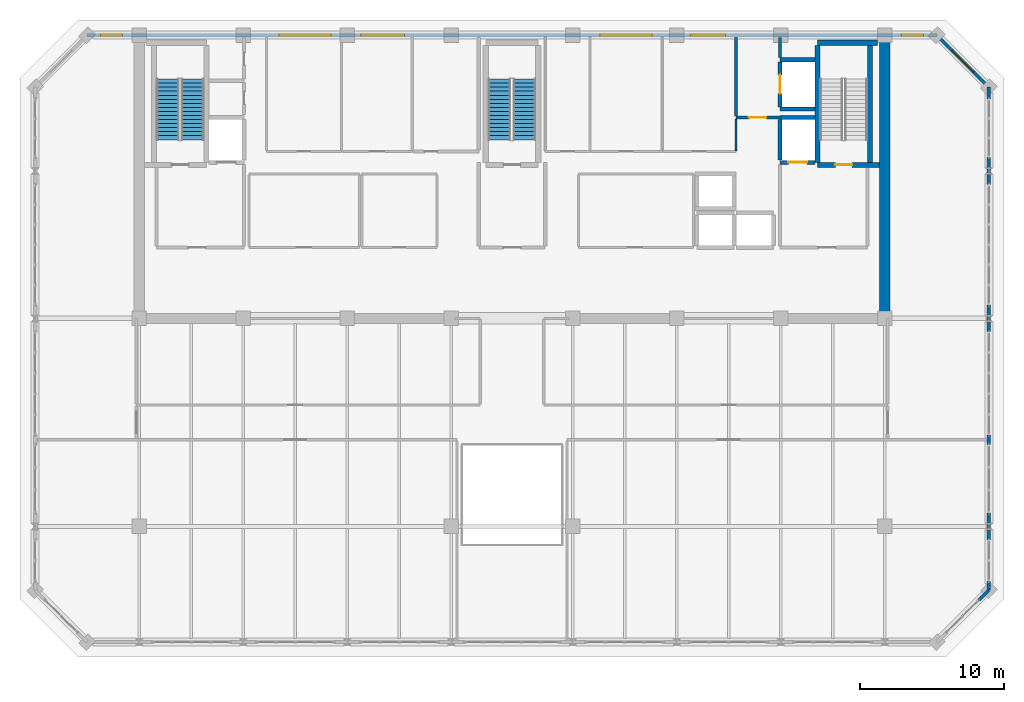
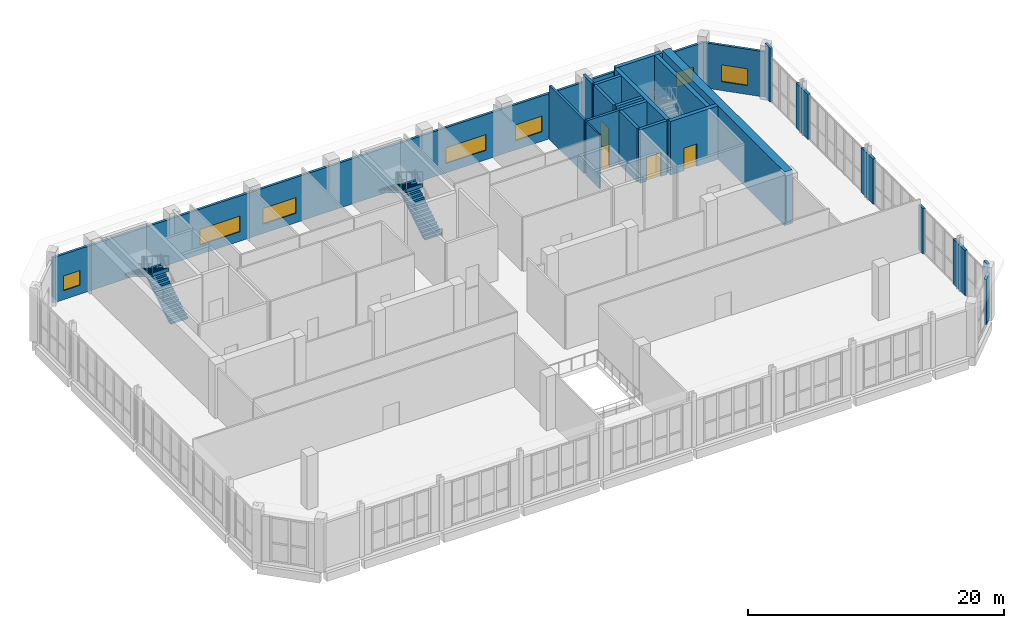
# One storey, part 22 of 26: 24 walls, 7 windows, 4 doors, 4 stair flights, 11 openings, 2 elements without a shape of their own.
"""IFC4 building model written with IfcOpenShell, lengths in metres."""

import ifcopenshell
import ifcopenshell.guid

model = None  # the IFC model being written
_history = None  # IfcOwnerHistory: only IFC2X3 demands one
_inside = {}  # id of a spatial element -> (the spatial element, [elements in it])
_under = {}  # id of a project, library or spatial element -> (it, [spatial elements below it])
_declared = {}  # id of a project -> (the project, [libraries it declares])
_typed = {}  # id of a type object -> (the type object, [elements of that type])
_made_of = {}  # id of a material, layer set ... -> (it, [elements and type objects made of it])


def new_model(schema):
    """Start an empty IFC model of exactly this schema.

    Asked for "IFC4X3", IfcOpenShell would pick the latest addendum, in which some entities
    have other attributes; the version numbers below select the first issue.
    IFC2X3 requires an IfcOwnerHistory on every rooted entity: one is made here for all.
    """
    global model, _history
    if schema == "IFC4X3":
        model = ifcopenshell.file(schema_version=(4, 3, 0, 0))
    else:
        model = ifcopenshell.file(schema=schema)
    _inside.clear()
    _under.clear()
    _declared.clear()
    _typed.clear()
    _made_of.clear()
    _history = None
    if model.schema == "IFC2X3":
        org = make("IfcOrganization", Name="unknown")
        user = make(
            "IfcPersonAndOrganization",
            ThePerson=make("IfcPerson", FamilyName="unknown"),
            TheOrganization=org,
        )
        app = make(
            "IfcApplication",
            ApplicationDeveloper=org,
            Version="unknown",
            ApplicationFullName="unknown",
            ApplicationIdentifier="unknown",
        )
        _history = make(
            "IfcOwnerHistory",
            OwningUser=user,
            OwningApplication=app,
            ChangeAction="ADDED",
            CreationDate=0,
        )
    return model


def make(cls, **values):
    """One entity of the class cls with the attributes given. An attribute that is None is left unset."""
    return model.create_entity(
        cls, **{name: value for name, value in values.items() if value is not None}
    )


def rooted(cls, **values):
    """An entity with a GlobalId (a new one), such as an element, a storey or a relation."""
    return make(cls, GlobalId=ifcopenshell.guid.new(), OwnerHistory=_history, **values)


def si_unit(unit_type, name, prefix=None):
    """IfcSIUnit, for example si_unit("LENGTHUNIT", "METRE", prefix="MILLI")."""
    return make("IfcSIUnit", UnitType=unit_type, Prefix=prefix, Name=name)


def assignment(units):
    """IfcUnitAssignment: the units of a project."""
    return None if units is None else make("IfcUnitAssignment", Units=units)


def point(xyz):
    """IfcCartesianPoint."""
    return None if xyz is None else make("IfcCartesianPoint", Coordinates=xyz)


def direction(xyz):
    """IfcDirection."""
    return None if xyz is None else make("IfcDirection", DirectionRatios=xyz)


def frame(location, z_axis=None, x_axis=None):
    """IfcAxis2Placement3D, a coordinate frame: its origin and axes. An axis left out is left unset."""
    return make(
        "IfcAxis2Placement3D",
        Location=point(location),
        Axis=direction(z_axis),
        RefDirection=direction(x_axis),
    )


def frame_2d(location, x_axis=None):
    """IfcAxis2Placement2D, a coordinate frame in the plane: its origin and x axis."""
    return make(
        "IfcAxis2Placement2D", Location=point(location), RefDirection=direction(x_axis)
    )


def origin():
    """The frame at (0, 0, 0) with its axes left unset."""
    return frame((0.0, 0.0, 0.0))


def place(relative_to, where):
    """IfcLocalPlacement: puts the frame where relative to a parent placement (None: the world)."""
    return make(
        "IfcLocalPlacement", PlacementRelTo=relative_to, RelativePlacement=where
    )


def context(
    kind, dimensions, precision=None, world=None, true_north=None, identifier=None
):
    """IfcGeometricRepresentationContext, for example the 3D "Model" context."""
    return make(
        "IfcGeometricRepresentationContext",
        ContextIdentifier=identifier,
        ContextType=kind,
        CoordinateSpaceDimension=dimensions,
        Precision=precision,
        WorldCoordinateSystem=world,
        TrueNorth=true_north,
    )


def subcontext(parent, identifier, kind, view, scale=None):
    """IfcGeometricRepresentationSubContext, for example "Body" below "Model"."""
    return make(
        "IfcGeometricRepresentationSubContext",
        ContextIdentifier=identifier,
        ContextType=kind,
        ParentContext=parent,
        TargetScale=scale,
        TargetView=view,
    )


def project(units=None, contexts=None):
    """IfcProject with its units and contexts."""
    return rooted(
        "IfcProject",
        Name="project",
        RepresentationContexts=contexts,
        UnitsInContext=assignment(units),
    )


def spatial(cls, under=None, at=None, **own):
    """A site, building, storey or space (cls), placed at a placement, below another one or the project."""
    s = rooted(cls, ObjectPlacement=at, **own)
    if under is not None:
        _under.setdefault(under.id(), (under, []))[1].append(s)
    return s


def polyline(points):
    """IfcPolyline through the points."""
    return make("IfcPolyline", Points=[point(p) for p in points])


def profile(cls, at=None, kind="AREA", **sizes):
    """A parametric profile (cls). Its sizes go by their IFC names, for example OverallWidth=200.0."""
    return make(cls, ProfileType=kind, Position=at, **sizes)


def rectangle(**sizes):
    """IfcRectangleProfileDef."""
    return profile("IfcRectangleProfileDef", **sizes)


def outline(outer, holes=None, kind="AREA"):
    """IfcArbitraryClosedProfileDef: a profile drawn as a closed curve; with holes, ...WithVoids."""
    if holes is None:
        return make("IfcArbitraryClosedProfileDef", ProfileType=kind, OuterCurve=outer)
    return make(
        "IfcArbitraryProfileDefWithVoids",
        ProfileType=kind,
        OuterCurve=outer,
        InnerCurves=holes,
    )


def extrude(swept, where, along, depth):
    """IfcExtrudedAreaSolid: the profile swept, set in the frame where, extruded along a direction by depth."""
    return make(
        "IfcExtrudedAreaSolid",
        SweptArea=swept,
        Position=where,
        ExtrudedDirection=direction(along),
        Depth=depth,
    )


def shape(context_of_items, identifier, shape_type, items):
    """IfcShapeRepresentation: the items that make up one representation, for example the "Body"."""
    return make(
        "IfcShapeRepresentation",
        ContextOfItems=context_of_items,
        RepresentationIdentifier=identifier,
        RepresentationType=shape_type,
        Items=items,
    )


def material(Name=None, Category=None):
    """IfcMaterial."""
    return make("IfcMaterial", Name=Name, Category=Category)


def layer(
    of_material, thickness, ventilated=None, Name=None, Category=None, Priority=None
):
    """IfcMaterialLayer: one layer of a wall or slab, of a material (None: an air gap)."""
    return make(
        "IfcMaterialLayer",
        Material=of_material,
        LayerThickness=thickness,
        IsVentilated=ventilated,
        Name=Name,
        Category=Category,
        Priority=Priority,
    )


def layer_set(layers, Name=None):
    """IfcMaterialLayerSet."""
    return make("IfcMaterialLayerSet", MaterialLayers=layers, LayerSetName=Name)


def made_of(thing, what):
    """Note that an element or type object is made of a material, layer set ...; save() writes the relation."""
    if what is not None:
        _made_of.setdefault(what.id(), (what, []))[1].append(thing)
    return thing


def type_object(cls, material=None, **own):
    """A type object (cls), such as IfcWallType, which elements share."""
    return made_of(rooted(cls, **own), material)


def element(
    cls,
    number,
    at=None,
    inside=None,
    cuts=None,
    type_object=None,
    material=None,
    context=None,
    identifier="Body",
    shape_type=None,
    held_by="IfcProductDefinitionShape",
    body=None,
    shapes=None,
    **own,
):
    """One element of the class cls, such as IfcWall. Its Tag is "e" and its number.

    at: its placement. inside: the storey or other place that contains it. cuts: it is an
    opening in that element (IfcRelVoidsElement). A single representation is given by context,
    identifier, shape_type and body (its items); several are given by shapes. held_by: the class
    of the entity that holds the representations. save() writes the other relations.
    """
    e = rooted(cls, Tag="e%d" % number, ObjectPlacement=at, **own)
    if body is not None:
        shapes = [shape(context, identifier, shape_type, body)]
    if shapes is not None:
        e.Representation = make(held_by, Representations=shapes)
    if inside is not None:
        _inside.setdefault(inside.id(), (inside, []))[1].append(e)
    if cuts is not None:
        rooted(
            "IfcRelVoidsElement", RelatingBuildingElement=cuts, RelatedOpeningElement=e
        )
    if type_object is not None:
        _typed.setdefault(type_object.id(), (type_object, []))[1].append(e)
    return made_of(e, material)


def fill(opening, filler):
    """IfcRelFillsElement: the door or window that sits in an opening."""
    return rooted(
        "IfcRelFillsElement",
        RelatingOpeningElement=opening,
        RelatedBuildingElement=filler,
    )


def aggregate(whole, parts):
    """IfcRelAggregates: a whole, such as a stair, and the parts it consists of."""
    return rooted("IfcRelAggregates", RelatingObject=whole, RelatedObjects=parts)


def save(model, path):
    """Write the relations noted so far, then the file.

    IfcRelAggregates (storeys below a building ...), IfcRelContainedInSpatialStructure (elements
    in a storey), IfcRelDefinesByType, IfcRelAssociatesMaterial and IfcRelDeclares: one each for
    every whole, place, type object, material and project.
    """
    for whole, parts in _under.values():
        aggregate(whole, parts)
    for where, things in _inside.values():
        rooted(
            "IfcRelContainedInSpatialStructure",
            RelatedElements=things,
            RelatingStructure=where,
        )
    for kind, things in _typed.values():
        rooted("IfcRelDefinesByType", RelatedObjects=things, RelatingType=kind)
    for what, things in _made_of.values():
        rooted("IfcRelAssociatesMaterial", RelatedObjects=things, RelatingMaterial=what)
    for by, libraries in _declared.values():
        rooted("IfcRelDeclares", RelatingContext=by, RelatedDefinitions=libraries)
    model.write(path)


model = new_model("IFC4")

# Units and contexts
model_context = context("Model", 3, precision=1e-05, world=origin(), true_north=direction((0.0, 1.0)))
body_context = subcontext(model_context, "Body", "Model", "MODEL_VIEW")
ifc_project = project(units=[si_unit("LENGTHUNIT", "METRE"), si_unit("AREAUNIT", "SQUARE_METRE"), si_unit("VOLUMEUNIT", "CUBIC_METRE"), si_unit("PLANEANGLEUNIT", "RADIAN"), si_unit("MASSUNIT", "GRAM", prefix="KILO")], contexts=[model_context])

# Site, building, storey
site_placement = place(None, origin())
site = spatial("IfcSite", under=ifc_project, at=site_placement, CompositionType="ELEMENT")
building_placement = place(site_placement, origin())
building = spatial("IfcBuilding", under=site, at=building_placement, Name="Kaelvorn Grand Hotel", CompositionType="ELEMENT")
storey_placement = place(building_placement, frame((0.0, 0.0, 300.199951171875)))
storey = spatial("IfcBuildingStorey", under=building, at=storey_placement, Name="L73", CompositionType="ELEMENT", Elevation=300.199951171875)

# Walls
ifc_material_1 = material(Name="Concrete C50/60", Category="concrete")
ifc_layer_1 = layer(ifc_material_1, 0.699951171875)
ifc_layer_set_1 = layer_set([ifc_layer_1], Name="Concrete C50/60")
wall_type_1 = type_object("IfcWallType", Name="WL-CORE-700-C50", PredefinedType="SHEAR", material=ifc_layer_set_1)
wall_1_placement = place(storey_placement, frame((67.800048828125, 29.39990234375, 0.0), z_axis=(0.0, 0.0, 1.0), x_axis=(0.0, 1.0, 0.0)))
element("IfcWall", 1, at=wall_1_placement, inside=storey, type_object=wall_type_1, Name="L73 Rear-Core East Shear Wall", PredefinedType="SHEAR", context=body_context, shape_type="SweptSolid", body=[
    extrude(rectangle(XDim=19.2001953125, YDim=0.699951171875, at=frame_2d((9.60009765625, 0.0))), origin(), (0.0, 0.0, 1.0), 5.1201171875),
])
ifc_material_2 = material(Name="Concrete C40/50", Category="concrete")
ifc_layer_2 = layer(ifc_material_2, 0.219970703125)
ifc_layer_set_2 = layer_set([ifc_layer_2], Name="Concrete C40/50")
wall_type_2 = type_object("IfcWallType", Name="WL-EXT-220-C40", PredefinedType="SOLIDWALL", material=ifc_layer_set_2)
wall_2_placement = place(storey_placement, frame((74.303466796875, 9.903564453125, 0.0), z_axis=(0.0, 0.0, 1.0), x_axis=(0.707106781187, 0.707106781187, 0.0)))
element("IfcWall", 2, at=wall_2_placement, inside=storey, type_object=wall_type_2, Name="L73 Exterior Architectural Concrete Wall 02 Pier 2", PredefinedType="SOLIDWALL", context=body_context, shape_type="SweptSolid", body=[
    extrude(rectangle(XDim=0.985107421875, YDim=0.219970703125, at=frame_2d((0.49267578125, 0.0))), origin(), (0.0, 0.0, 1.0), 4.320068359375),
])
wall_3_placement = place(storey_placement, frame((75.0, 10.60009765625, 0.0), z_axis=(0.0, 0.0, 1.0), x_axis=(0.0, 1.0, 0.0)))
element("IfcWall", 3, at=wall_3_placement, inside=storey, type_object=wall_type_2, Name="L73 Exterior Architectural Concrete Wall 03 Pier 1", PredefinedType="SOLIDWALL", context=body_context, shape_type="SweptSolid", body=[
    extrude(rectangle(XDim=0.60498046875, YDim=0.219970703125, at=frame_2d((0.302490234375, 0.0))), origin(), (0.0, 0.0, 1.0), 5.1201171875),
])
wall_4_placement = place(storey_placement, frame((75.0, 14.074951171875, 0.0), z_axis=(0.0, 0.0, 1.0), x_axis=(0.0, 1.0, 0.0)))
element("IfcWall", 4, at=wall_4_placement, inside=storey, type_object=wall_type_2, Name="L73 Exterior Architectural Concrete Wall 03 Pier 2", PredefinedType="SOLIDWALL", context=body_context, shape_type="SweptSolid", body=[
    extrude(rectangle(XDim=1.85009765625, YDim=0.219970703125, at=frame_2d((0.925048828125, 0.0))), origin(), (0.0, 0.0, 1.0), 4.320068359375),
])
wall_5_placement = place(storey_placement, frame((75.0, 20.675048828125, 0.0), z_axis=(0.0, 0.0, 1.0), x_axis=(0.0, 1.0, 0.0)))
element("IfcWall", 5, at=wall_5_placement, inside=storey, type_object=wall_type_2, Name="L73 Exterior Architectural Concrete Wall 03 Pier 3", PredefinedType="SOLIDWALL", context=body_context, shape_type="SweptSolid", body=[
    extrude(rectangle(XDim=0.64990234375, YDim=0.219970703125, at=frame_2d((0.324951171875, 0.0))), origin(), (0.0, 0.0, 1.0), 4.320068359375),
])
for number, where, z_axis, x_axis, name in (
    (6, (75.0, 28.47509765625, 0.0), (0.0, 0.0, 1.0), (0.0, 1.0, 0.0), "L73 Exterior Architectural Concrete Wall 03 Pier 4"),
    (7, (75.0, 38.675048828125, 0.0), (0.0, 0.0, 1.0), (0.0, 1.0, 0.0), "L73 Exterior Architectural Concrete Wall 03 Pier 5"),
):
    element("IfcWall", number, at=place(storey_placement, frame(where, z_axis=z_axis, x_axis=x_axis)), inside=storey, type_object=wall_type_2, Name=name, PredefinedType="SOLIDWALL", context=body_context, shape_type="SweptSolid", body=[
        extrude(rectangle(XDim=1.849853515625, YDim=0.219970703125, at=frame_2d((0.9248046875, 0.0))), origin(), (0.0, 0.0, 1.0), 4.320068359375),
    ])
wall_6_placement = place(storey_placement, frame((75.0, 44.594970703125, 0.0), z_axis=(0.0, 0.0, 1.0), x_axis=(0.0, 1.0, 0.0)))
element("IfcWall", 8, at=wall_6_placement, inside=storey, type_object=wall_type_2, Name="L73 Exterior Architectural Concrete Wall 03 Pier 6", PredefinedType="SOLIDWALL", context=body_context, shape_type="SweptSolid", body=[
    extrude(rectangle(XDim=0.804931640625, YDim=0.219970703125, at=frame_2d((0.40234375, 0.0))), origin(), (0.0, 0.0, 1.0), 5.1201171875),
])

# Wall, opening, window
wall_7_placement = place(storey_placement, frame((75.0, 45.39990234375, 0.0), z_axis=(0.0, 0.0, 1.0), x_axis=(-0.707106781187, 0.707106781187, 0.0)))
wall_7 = element("IfcWall", 9, at=wall_7_placement, inside=storey, type_object=wall_type_2, Name="L73 Exterior Architectural Concrete Wall 04", PredefinedType="SOLIDWALL", context=body_context, shape_type="SweptSolid", body=[
    extrude(rectangle(XDim=5.09130859375, YDim=0.219970703125, at=frame_2d((2.545654296875, 0.0))), origin(), (0.0, 0.0, 1.0), 4.320068359375),
])
opening_1_placement = place(wall_7_placement, frame((1.49560546875, 0.0, 0.85009765625)))
opening_1 = element("IfcOpeningElement", 10, at=opening_1_placement, cuts=wall_7, Name="Opening W7", PredefinedType="OPENING", context=body_context, shape_type="SweptSolid", body=[
    extrude(rectangle(XDim=2.10009765625, YDim=1.60009765625, at=frame_2d((1.050048828125, 0.800048828125))), frame((0.0, 0.1201171875, 0.0), z_axis=(0.0, -1.0, 0.0), x_axis=(1.0, 0.0, 0.0)), (0.0, 0.0, 1.0), 0.239990234375),
])
ifc_material_3 = material(Name="Laminated Low-E Glass", Category="glass")
window_type_1 = type_object("IfcWindowType", Name="WIN-CHM-2100x1600", PartitioningType="SINGLE_PANEL", PredefinedType="WINDOW", material=ifc_material_3)
window_1_placement = place(opening_1_placement, origin())
window_1 = element("IfcWindow", 11, at=window_1_placement, inside=storey, type_object=window_type_1, Name="L73 Chamfered 45-Degree Corner Window NE", OverallHeight=1.60009765625, OverallWidth=2.10009765625, PartitioningType="SINGLE_PANEL", PredefinedType="WINDOW", context=body_context, shape_type="SweptSolid", body=[
    extrude(rectangle(XDim=2.10009765625, YDim=1.60009765625, at=frame_2d((1.050048828125, 0.800048828125))), frame((0.0, 0.030029296875, 0.0), z_axis=(0.0, -1.0, 0.0), x_axis=(1.0, 0.0, 0.0)), (0.0, 0.0, 1.0), 0.06005859375),
])
fill(opening_1, window_1)

# Wall, openings, windows
wall_8_placement = place(storey_placement, frame((71.39990234375, 49.0, 0.0), z_axis=(0.0, 0.0, 1.0), x_axis=(-1.0, 0.0, 0.0)))
wall_8 = element("IfcWall", 12, at=wall_8_placement, inside=storey, type_object=wall_type_2, Name="L73 Exterior Architectural Concrete Wall 05", PredefinedType="SOLIDWALL", context=body_context, shape_type="SweptSolid", body=[
    extrude(rectangle(XDim=58.7998046875, YDim=0.219970703125, at=frame_2d((29.39990234375, 0.0))), origin(), (0.0, 0.0, 1.0), 4.320068359375),
])
opening_2_placement = place(wall_8_placement, frame((56.364990234375, 0.0, 0.85009765625)))
opening_2 = element("IfcOpeningElement", 13, at=opening_2_placement, cuts=wall_8, Name="Opening W10", PredefinedType="OPENING", context=body_context, shape_type="SweptSolid", body=[
    extrude(rectangle(XDim=1.5, YDim=1.39990234375, at=frame_2d((0.75, 0.699951171875))), frame((0.0, 0.1201171875, 0.0), z_axis=(0.0, -1.0, 0.0), x_axis=(1.0, 0.0, 0.0)), (0.0, 0.0, 1.0), 0.239990234375),
])
opening_3_placement = place(wall_8_placement, frame((0.93505859375, 0.0, 0.85009765625)))
opening_3 = element("IfcOpeningElement", 14, at=opening_3_placement, cuts=wall_8, Name="Opening W10", PredefinedType="OPENING", context=body_context, shape_type="SweptSolid", body=[
    extrude(rectangle(XDim=1.5, YDim=1.39990234375, at=frame_2d((0.75, 0.699951171875))), frame((0.0, 0.1201171875, 0.0), z_axis=(0.0, -1.0, 0.0), x_axis=(1.0, 0.0, 0.0)), (0.0, 0.0, 1.0), 0.239990234375),
])
opening_4_placement = place(wall_8_placement, frame((41.9150390625, 0.0, 0.89990234375)))
opening_4 = element("IfcOpeningElement", 15, at=opening_4_placement, cuts=wall_8, Name="Opening W3", PredefinedType="OPENING", context=body_context, shape_type="SweptSolid", body=[
    extrude(rectangle(XDim=3.60009765625, YDim=1.5, at=frame_2d((1.800048828125, 0.75))), frame((0.0, 0.1201171875, 0.0), z_axis=(0.0, -1.0, 0.0), x_axis=(1.0, 0.0, 0.0)), (0.0, 0.0, 1.0), 0.239990234375),
])
opening_5_placement = place(wall_8_placement, frame((36.85009765625, 0.0, 0.89990234375)))
opening_5 = element("IfcOpeningElement", 16, at=opening_5_placement, cuts=wall_8, Name="Opening W5", PredefinedType="OPENING", context=body_context, shape_type="SweptSolid", body=[
    extrude(rectangle(XDim=3.0, YDim=1.5, at=frame_2d((1.5, 0.75))), frame((0.0, 0.1201171875, 0.0), z_axis=(0.0, -1.0, 0.0), x_axis=(1.0, 0.0, 0.0)), (0.0, 0.0, 1.0), 0.239990234375),
])
opening_6_placement = place(wall_8_placement, frame((19.699951171875, 0.0, 0.89990234375)))
opening_6 = element("IfcOpeningElement", 17, at=opening_6_placement, cuts=wall_8, Name="Opening W3", PredefinedType="OPENING", context=body_context, shape_type="SweptSolid", body=[
    extrude(rectangle(XDim=3.60009765625, YDim=1.5, at=frame_2d((1.800048828125, 0.75))), frame((0.0, 0.1201171875, 0.0), z_axis=(0.0, -1.0, 0.0), x_axis=(1.0, 0.0, 0.0)), (0.0, 0.0, 1.0), 0.239990234375),
])
opening_7_placement = place(wall_8_placement, frame((14.635009765625, 0.0, 0.89990234375)))
opening_7 = element("IfcOpeningElement", 18, at=opening_7_placement, cuts=wall_8, Name="Opening W6", PredefinedType="OPENING", context=body_context, shape_type="SweptSolid", body=[
    extrude(rectangle(XDim=2.39990234375, YDim=1.5, at=frame_2d((1.199951171875, 0.75))), frame((0.0, 0.1201171875, 0.0), z_axis=(0.0, -1.0, 0.0), x_axis=(1.0, 0.0, 0.0)), (0.0, 0.0, 1.0), 0.239990234375),
])
window_type_2 = type_object("IfcWindowType", Name="WIN-COR-1500x1400", PartitioningType="SINGLE_PANEL", PredefinedType="WINDOW", material=ifc_material_3)
window_2_placement = place(opening_2_placement, origin())
window_2 = element("IfcWindow", 19, at=window_2_placement, inside=storey, type_object=window_type_2, Name="L73 North Wing Ribbon Window NW01", OverallHeight=1.39990234375, OverallWidth=1.5, PartitioningType="SINGLE_PANEL", PredefinedType="WINDOW", context=body_context, shape_type="SweptSolid", body=[
    extrude(rectangle(XDim=1.5, YDim=1.39990234375, at=frame_2d((0.75, 0.699951171875))), frame((0.0, 0.030029296875, 0.0), z_axis=(0.0, -1.0, 0.0), x_axis=(1.0, 0.0, 0.0)), (0.0, 0.0, 1.0), 0.06005859375),
])
fill(opening_2, window_2)
window_3_placement = place(opening_3_placement, origin())
window_3 = element("IfcWindow", 20, at=window_3_placement, inside=storey, type_object=window_type_2, Name="L73 North Wing Ribbon Window NW02", OverallHeight=1.39990234375, OverallWidth=1.5, PartitioningType="SINGLE_PANEL", PredefinedType="WINDOW", context=body_context, shape_type="SweptSolid", body=[
    extrude(rectangle(XDim=1.5, YDim=1.39990234375, at=frame_2d((0.75, 0.699951171875))), frame((0.0, 0.030029296875, 0.0), z_axis=(0.0, -1.0, 0.0), x_axis=(1.0, 0.0, 0.0)), (0.0, 0.0, 1.0), 0.06005859375),
])
fill(opening_3, window_3)
window_type_3 = type_object("IfcWindowType", Name="WIN-NTH-2400x1500", PartitioningType="SINGLE_PANEL", PredefinedType="WINDOW", material=ifc_material_3)
window_4_placement = place(opening_7_placement, origin())
window_4 = element("IfcWindow", 21, at=window_4_placement, inside=storey, type_object=window_type_3, Name="L73 North Core Clerestory Ribbon Window NC06", OverallHeight=1.5, OverallWidth=2.39990234375, PartitioningType="SINGLE_PANEL", PredefinedType="WINDOW", context=body_context, shape_type="SweptSolid", body=[
    extrude(rectangle(XDim=2.39990234375, YDim=1.5, at=frame_2d((1.199951171875, 0.75))), frame((0.0, 0.030029296875, 0.0), z_axis=(0.0, -1.0, 0.0), x_axis=(1.0, 0.0, 0.0)), (0.0, 0.0, 1.0), 0.06005859375),
])
fill(opening_7, window_4)
window_type_4 = type_object("IfcWindowType", Name="WIN-NTH-3000x1500", PartitioningType="SINGLE_PANEL", PredefinedType="WINDOW", material=ifc_material_3)
window_5_placement = place(opening_5_placement, origin())
window_5 = element("IfcWindow", 22, at=window_5_placement, inside=storey, type_object=window_type_4, Name="L73 North Core Clerestory Ribbon Window NC04", OverallHeight=1.5, OverallWidth=3.0, PartitioningType="SINGLE_PANEL", PredefinedType="WINDOW", context=body_context, shape_type="SweptSolid", body=[
    extrude(rectangle(XDim=3.0, YDim=1.5, at=frame_2d((1.5, 0.75))), frame((0.0, 0.030029296875, 0.0), z_axis=(0.0, -1.0, 0.0), x_axis=(1.0, 0.0, 0.0)), (0.0, 0.0, 1.0), 0.06005859375),
])
fill(opening_5, window_5)
window_type_5 = type_object("IfcWindowType", Name="WIN-RIB-3600x1750", PartitioningType="SINGLE_PANEL", PredefinedType="WINDOW", material=ifc_material_3)
window_6_placement = place(opening_4_placement, origin())
window_6 = element("IfcWindow", 23, at=window_6_placement, inside=storey, type_object=window_type_5, Name="L73 North Core Clerestory Ribbon Window NC03", OverallHeight=1.5, OverallWidth=3.60009765625, PartitioningType="SINGLE_PANEL", PredefinedType="WINDOW", context=body_context, shape_type="SweptSolid", body=[
    extrude(rectangle(XDim=3.60009765625, YDim=1.5, at=frame_2d((1.800048828125, 0.75))), frame((0.0, 0.030029296875, 0.0), z_axis=(0.0, -1.0, 0.0), x_axis=(1.0, 0.0, 0.0)), (0.0, 0.0, 1.0), 0.06005859375),
])
fill(opening_4, window_6)
window_7_placement = place(opening_6_placement, origin())
window_7 = element("IfcWindow", 24, at=window_7_placement, inside=storey, type_object=window_type_5, Name="L73 North Core Clerestory Ribbon Window NC05", OverallHeight=1.5, OverallWidth=3.60009765625, PartitioningType="SINGLE_PANEL", PredefinedType="WINDOW", context=body_context, shape_type="SweptSolid", body=[
    extrude(rectangle(XDim=3.60009765625, YDim=1.5, at=frame_2d((1.800048828125, 0.75))), frame((0.0, 0.030029296875, 0.0), z_axis=(0.0, -1.0, 0.0), x_axis=(1.0, 0.0, 0.0)), (0.0, 0.0, 1.0), 0.06005859375),
])
fill(opening_6, window_7)

# Wall
ifc_material_4 = material(Name="Moisture-Resistant Tile & Stud Board")
ifc_layer_3 = layer(ifc_material_4, 0.125)
ifc_layer_set_3 = layer_set([ifc_layer_3], Name="Moisture-Resistant Tile & Stud Board")
wall_type_3 = type_object("IfcWallType", Name="WL-PART-125-WET", PredefinedType="PARTITIONING", material=ifc_layer_set_3)
wall_9_placement = place(storey_placement, frame((57.5, 41.017578125, 0.0), z_axis=(0.0, 0.0, 1.0), x_axis=(0.0, 1.0, 0.0)))
element("IfcWall", 25, at=wall_9_placement, inside=storey, type_object=wall_type_3, Name="L73 Female Staff & Guest Toilets E Partition", PredefinedType="PARTITIONING", context=body_context, shape_type="SweptSolid", body=[
    extrude(rectangle(XDim=2.16748046875, YDim=0.125, at=frame_2d((1.083740234375, 0.0))), origin(), (0.0, 0.0, 1.0), 5.1201171875),
])

# Wall, opening, door
ifc_layer_4 = layer(ifc_material_2, 0.219970703125)
ifc_layer_set_4 = layer_set([ifc_layer_4], Name="Concrete C40/50")
wall_type_4 = type_object("IfcWallType", Name="WL-PART-220-EI120", PredefinedType="PARTITIONING", material=ifc_layer_set_4)
wall_10_placement = place(storey_placement, frame((57.5, 43.300048828125, 0.0), z_axis=(0.0, 0.0, 1.0), x_axis=(1.0, 0.0, 0.0)))
wall_10 = element("IfcWall", 26, at=wall_10_placement, inside=storey, type_object=wall_type_4, Name="L73 Service Lift Lobby S Partition", PredefinedType="PARTITIONING", context=body_context, shape_type="SweptSolid", body=[
    extrude(rectangle(XDim=3.0400390625, YDim=0.219970703125, at=frame_2d((1.52001953125, 0.0))), origin(), (0.0, 0.0, 1.0), 5.1201171875),
])
opening_8_placement = place(wall_10_placement, frame((0.89990234375, 0.0, 0.0)))
opening_8 = element("IfcOpeningElement", 27, at=opening_8_placement, cuts=wall_10, Name="Opening DI2", PredefinedType="OPENING", context=body_context, shape_type="SweptSolid", body=[
    extrude(rectangle(XDim=1.199951171875, YDim=2.14990234375, at=frame_2d((0.60009765625, 1.074951171875))), frame((0.0, 0.1201171875, 0.0), z_axis=(0.0, -1.0, 0.0), x_axis=(1.0, 0.0, 0.0)), (0.0, 0.0, 1.0), 0.239990234375),
])
ifc_material_5 = material(Name="Timber Veneer Fire Leaf", Category="wood")
door_type_1 = type_object("IfcDoorType", Name="DR-INT-FFLOB-1200x2150", OperationType="NOTDEFINED", PredefinedType="DOOR", material=ifc_material_5)
door_1_placement = place(opening_8_placement, origin())
door_1 = element("IfcDoor", 28, at=door_1_placement, inside=storey, type_object=door_type_1, Name="L73 Service Lift Lobby Door", OperationType="SINGLE_SWING_RIGHT", OverallHeight=2.14990234375, OverallWidth=1.199951171875, PredefinedType="DOOR", context=body_context, shape_type="SweptSolid", body=[
    extrude(rectangle(XDim=1.199951171875, YDim=2.14990234375, at=frame_2d((0.60009765625, 1.074951171875))), frame((0.0, 0.02490234375, 0.0), z_axis=(0.0, -1.0, 0.0), x_axis=(1.0, 0.0, 0.0)), (0.0, 0.0, 1.0), 0.050048828125),
])
fill(opening_8, door_1)

# Walls
wall_11_placement = place(storey_placement, frame((57.5, 43.4150390625, 0.0), z_axis=(0.0, 0.0, 1.0), x_axis=(0.0, 1.0, 0.0)))
element("IfcWall", 29, at=wall_11_placement, inside=storey, type_object=wall_type_4, Name="L73 Service Lift Lobby W Partition", PredefinedType="PARTITIONING", context=body_context, shape_type="SweptSolid", body=[
    extrude(rectangle(XDim=5.43505859375, YDim=0.219970703125, at=frame_2d((2.717529296875, 0.0))), origin(), (0.0, 0.0, 1.0), 5.1201171875),
])
wall_12_placement = place(storey_placement, frame((60.550048828125, 47.445068359375, 0.0), z_axis=(0.0, 0.0, 1.0), x_axis=(0.0, 1.0, 0.0)))
element("IfcWall", 30, at=wall_12_placement, inside=storey, type_object=wall_type_4, Name="L73 Service Lift Lobby E Partition", PredefinedType="PARTITIONING", context=body_context, shape_type="SweptSolid", body=[
    extrude(rectangle(XDim=1.405029296875, YDim=0.219970703125, at=frame_2d((0.70263671875, 0.0))), origin(), (0.0, 0.0, 1.0), 5.1201171875),
])

# Wall, opening, door
ifc_layer_5 = layer(ifc_material_1, 0.280029296875)
ifc_layer_set_5 = layer_set([ifc_layer_5], Name="Concrete C50/60")
wall_type_5 = type_object("IfcWallType", Name="WL-SHAFT-280-C50", PredefinedType="SHEAR", material=ifc_layer_set_5)
wall_13_placement = place(storey_placement, frame((60.550048828125, 40.199951171875, 0.0), z_axis=(0.0, 0.0, 1.0), x_axis=(1.0, 0.0, 0.0)))
wall_13 = element("IfcWall", 31, at=wall_13_placement, inside=storey, type_object=wall_type_5, Name="L73 Lift FFL2 Shaft South Wall", PredefinedType="SHEAR", context=body_context, shape_type="SweptSolid", body=[
    extrude(rectangle(XDim=2.4150390625, YDim=0.280029296875, at=frame_2d((1.20751953125, 0.0))), origin(), (0.0, 0.0, 1.0), 5.1201171875),
])
opening_9_placement = place(wall_13_placement, frame((0.574951171875, 0.0, 0.0)))
opening_9 = element("IfcOpeningElement", 32, at=opening_9_placement, cuts=wall_13, Name="Opening LD-FFL2", PredefinedType="OPENING", context=body_context, shape_type="SweptSolid", body=[
    extrude(rectangle(XDim=1.300048828125, YDim=2.300048828125, at=frame_2d((0.64990234375, 1.14990234375))), frame((0.0, 0.14990234375, 0.0), z_axis=(0.0, -1.0, 0.0), x_axis=(1.0, 0.0, 0.0)), (0.0, 0.0, 1.0), 0.300048828125),
])
ifc_material_6 = material(Name="Stainless Steel", Category="steel")
door_type_2 = type_object("IfcDoorType", Name="DR-LIFT-SERV-1300x2300", OperationType="DOUBLE_DOOR_SLIDING", PredefinedType="DOOR", material=ifc_material_6)
door_2_placement = place(opening_9_placement, origin())
door_2 = element("IfcDoor", 33, at=door_2_placement, inside=storey, type_object=door_type_2, Name="L73 Lift FFL2 Sliding Landing Door LD-FFL2", OperationType="DOUBLE_DOOR_SLIDING", OverallHeight=2.300048828125, OverallWidth=1.300048828125, PredefinedType="DOOR", context=body_context, shape_type="SweptSolid", body=[
    extrude(rectangle(XDim=1.300048828125, YDim=2.300048828125, at=frame_2d((0.64990234375, 1.14990234375))), frame((0.0, 0.02490234375, 0.0), z_axis=(0.0, -1.0, 0.0), x_axis=(1.0, 0.0, 0.0)), (0.0, 0.0, 1.0), 0.050048828125),
])
fill(opening_9, door_2)

# Walls
wall_14_placement = place(storey_placement, frame((60.550048828125, 43.300048828125, 0.0), z_axis=(0.0, 0.0, 1.0), x_axis=(1.0, 0.0, 0.0)))
element("IfcWall", 34, at=wall_14_placement, inside=storey, type_object=wall_type_5, Name="L73 Lift FFL2 Shaft North Wall", PredefinedType="SHEAR", context=body_context, shape_type="SweptSolid", body=[
    extrude(rectangle(XDim=2.4150390625, YDim=0.280029296875, at=frame_2d((1.20751953125, 0.0))), origin(), (0.0, 0.0, 1.0), 5.1201171875),
])
wall_15_placement = place(storey_placement, frame((60.550048828125, 40.344970703125, 0.0), z_axis=(0.0, 0.0, 1.0), x_axis=(0.0, 1.0, 0.0)))
element("IfcWall", 35, at=wall_15_placement, inside=storey, type_object=wall_type_5, Name="L73 Lift FFL2 Shaft West Wall", PredefinedType="SHEAR", context=body_context, shape_type="SweptSolid", body=[
    extrude(rectangle(XDim=2.81005859375, YDim=0.280029296875, at=frame_2d((1.405029296875, 0.0))), origin(), (0.0, 0.0, 1.0), 5.1201171875),
])
for number, where, z_axis, x_axis, name in (
    (36, (60.550048828125, 43.89990234375, 0.0), (0.0, 0.0, 1.0), (1.0, 0.0, 0.0), "L73 Lift SV1 Shaft South Wall"),
    (37, (60.550048828125, 47.300048828125, 0.0), (0.0, 0.0, 1.0), (1.0, 0.0, 0.0), "L73 Lift SV1 Shaft North Wall"),
):
    element("IfcWall", number, at=place(storey_placement, frame(where, z_axis=z_axis, x_axis=x_axis)), inside=storey, type_object=wall_type_5, Name=name, PredefinedType="SHEAR", context=body_context, shape_type="SweptSolid", body=[
        extrude(rectangle(XDim=2.4150390625, YDim=0.280029296875, at=frame_2d((1.20751953125, 0.0))), origin(), (0.0, 0.0, 1.0), 5.1201171875),
    ])

# Wall, opening, door
wall_16_placement = place(storey_placement, frame((60.550048828125, 44.044921875, 0.0), z_axis=(0.0, 0.0, 1.0), x_axis=(0.0, 1.0, 0.0)))
wall_16 = element("IfcWall", 38, at=wall_16_placement, inside=storey, type_object=wall_type_5, Name="L73 Lift SV1 Shaft West Wall", PredefinedType="SHEAR", context=body_context, shape_type="SweptSolid", body=[
    extrude(rectangle(XDim=3.110107421875, YDim=0.280029296875, at=frame_2d((1.55517578125, 0.0))), origin(), (0.0, 0.0, 1.0), 5.1201171875),
])
opening_10_placement = place(wall_16_placement, frame((0.905029296875, 0.0, 0.0)))
opening_10 = element("IfcOpeningElement", 39, at=opening_10_placement, cuts=wall_16, Name="Opening LD-SV1", PredefinedType="OPENING", context=body_context, shape_type="SweptSolid", body=[
    extrude(rectangle(XDim=1.300048828125, YDim=2.300048828125, at=frame_2d((0.64990234375, 1.14990234375))), frame((0.0, 0.14990234375, 0.0), z_axis=(0.0, -1.0, 0.0), x_axis=(1.0, 0.0, 0.0)), (0.0, 0.0, 1.0), 0.300048828125),
])
door_3_placement = place(opening_10_placement, origin())
door_3 = element("IfcDoor", 40, at=door_3_placement, inside=storey, type_object=door_type_2, Name="L73 Lift SV1 Sliding Landing Door LD-SV1", OperationType="DOUBLE_DOOR_SLIDING", OverallHeight=2.300048828125, OverallWidth=1.300048828125, PredefinedType="DOOR", context=body_context, shape_type="SweptSolid", body=[
    extrude(rectangle(XDim=1.300048828125, YDim=2.300048828125, at=frame_2d((0.64990234375, 1.14990234375))), frame((0.0, 0.02490234375, 0.0), z_axis=(0.0, -1.0, 0.0), x_axis=(1.0, 0.0, 0.0)), (0.0, 0.0, 1.0), 0.050048828125),
])
fill(opening_10, door_3)

ifc_material_7 = material(Name="Concrete C60/75", Category="concrete")
ifc_layer_6 = layer(ifc_material_7, 0.35009765625)
ifc_layer_set_6 = layer_set([ifc_layer_6], Name="Concrete C60/75")
wall_type_6 = type_object("IfcWallType", Name="WL-SHAFT-350-C60", PredefinedType="SHEAR", material=ifc_layer_set_6)
wall_17_placement = place(storey_placement, frame((63.14501953125, 40.02490234375, 0.0), z_axis=(0.0, 0.0, 1.0), x_axis=(1.0, 0.0, 0.0)))
wall_17 = element("IfcWall", 41, at=wall_17_placement, inside=storey, type_object=wall_type_6, Name="L73 ST3 Stair Shaft South Wall", PredefinedType="SHEAR", context=body_context, shape_type="SweptSolid", body=[
    extrude(rectangle(XDim=4.300048828125, YDim=0.35009765625, at=frame_2d((2.14990234375, 0.0))), origin(), (0.0, 0.0, 1.0), 5.1201171875),
])
opening_11_placement = place(wall_17_placement, frame((1.239990234375, 0.0, 0.0)))
opening_11 = element("IfcOpeningElement", 42, at=opening_11_placement, cuts=wall_17, Name="Opening DI1", PredefinedType="OPENING", context=body_context, shape_type="SweptSolid", body=[
    extrude(rectangle(XDim=1.14990234375, YDim=2.14990234375, at=frame_2d((0.574951171875, 1.074951171875))), frame((0.0, 0.18505859375, 0.0), z_axis=(0.0, -1.0, 0.0), x_axis=(1.0, 0.0, 0.0)), (0.0, 0.0, 1.0), 0.3701171875),
])
door_type_3 = type_object("IfcDoorType", Name="DR-INT-STAIR-1150x2150", OperationType="NOTDEFINED", PredefinedType="DOOR", material=ifc_material_5)
door_4_placement = place(opening_11_placement, origin())
door_4 = element("IfcDoor", 43, at=door_4_placement, inside=storey, type_object=door_type_3, Name="L73 ST3 Exit Stair Fire Door", OperationType="SINGLE_SWING_RIGHT", OverallHeight=2.14990234375, OverallWidth=1.14990234375, PredefinedType="DOOR", context=body_context, shape_type="SweptSolid", body=[
    extrude(rectangle(XDim=1.14990234375, YDim=2.14990234375, at=frame_2d((0.574951171875, 1.074951171875))), frame((0.0, 0.02490234375, 0.0), z_axis=(0.0, -1.0, 0.0), x_axis=(1.0, 0.0, 0.0)), (0.0, 0.0, 1.0), 0.050048828125),
])
fill(opening_11, door_4)

# Walls
wall_18_placement = place(storey_placement, frame((63.14501953125, 48.47509765625, 0.0), z_axis=(0.0, 0.0, 1.0), x_axis=(1.0, 0.0, 0.0)))
element("IfcWall", 44, at=wall_18_placement, inside=storey, type_object=wall_type_6, Name="L73 ST3 Stair Shaft North Wall", PredefinedType="SHEAR", context=body_context, shape_type="SweptSolid", body=[
    extrude(rectangle(XDim=4.14990234375, YDim=0.35009765625, at=frame_2d((2.074951171875, 0.0))), origin(), (0.0, 0.0, 1.0), 5.1201171875),
])
for number, where, z_axis, x_axis, name in (
    (45, (63.14501953125, 40.205078125, 0.0), (0.0, 0.0, 1.0), (0.0, 1.0, 0.0), "L73 ST3 Stair Shaft West Wall"),
    (46, (66.77490234375, 40.205078125, 0.0), (0.0, 0.0, 1.0), (0.0, 1.0, 0.0), "L73 ST3 Stair Shaft East Wall"),
):
    element("IfcWall", number, at=place(storey_placement, frame(where, z_axis=z_axis, x_axis=x_axis)), inside=storey, type_object=wall_type_6, Name=name, PredefinedType="SHEAR", context=body_context, shape_type="SweptSolid", body=[
        extrude(rectangle(XDim=8.08984375, YDim=0.35009765625, at=frame_2d((4.044921875, 0.0))), origin(), (0.0, 0.0, 1.0), 5.1201171875),
    ])

# Stair, stair flights
stair_type = type_object("IfcStairType", Name="STR-DOG-1560-R11", PredefinedType="HALF_TURN_STAIR", material=ifc_material_2)
stair_1_placement = place(storey_placement, origin())
stair_1 = element("IfcStair", 47, at=stair_1_placement, inside=storey, type_object=stair_type, Name="L73 West Core Exit Stair ST1", PredefinedType="HALF_TURN_STAIR")
stair_flight_type = type_object("IfcStairFlightType", Name="FLG-DOG-1560-R11", PredefinedType="STRAIGHT", material=ifc_material_2)
stair_flight_1_placement = place(storey_placement, frame((19.89990234375, 41.760009765625, 0.0), z_axis=(0.0, 0.0, 1.0), x_axis=(0.0, 1.0, 0.0)))
stair_flight_1 = element("IfcStairFlight", 48, at=stair_flight_1_placement, type_object=stair_flight_type, Name="ST1 flight 1", NumberOfRisers=16, NumberOfTreads=15, PredefinedType="STRAIGHT", RiserHeight=0.171875, TreadLength=0.28, context=body_context, shape_type="SweptSolid", body=[
    extrude(outline(polyline([(-0.0048828125, 0.0), (-0.0048828125, 0.0400390625), (0.0, 0.171875), (0.280029296875, 0.171875), (0.280029296875, 0.34375), (0.56005859375, 0.34375), (0.56005859375, 0.515625), (0.840087890625, 0.515625), (0.840087890625, 0.6875), (1.1201171875, 0.6875), (1.1201171875, 0.859375), (1.39990234375, 0.859375), (1.39990234375, 1.03125), (1.679931640625, 1.03125), (1.679931640625, 1.203125), (1.9599609375, 1.203125), (1.9599609375, 1.375), (2.239990234375, 1.375), (2.239990234375, 1.546875), (2.52001953125, 1.546875), (2.52001953125, 1.71875), (2.800048828125, 1.71875), (2.800048828125, 1.890625), (3.080078125, 1.890625), (3.080078125, 2.0625), (3.360107421875, 2.0625), (3.360107421875, 2.234375), (3.639892578125, 2.234375), (3.639892578125, 2.40625), (3.919921875, 2.40625), (3.919921875, 2.578125), (4.199951171875, 2.578125), (4.199951171875, 2.75), (4.205078125, 2.75), (4.205078125, 2.40234375), (0.28662109375, 0.0), (-0.0048828125, 0.0)])), frame((0.0, 0.780029296875, 0.0), z_axis=(0.0, -1.0, 0.0), x_axis=(1.0, 0.0, 0.0)), (0.0, 0.0, 1.0), 1.56005859375),
])
stair_flight_2_placement = place(storey_placement, frame((18.179931640625, 45.9599609375, 2.75), z_axis=(0.0, 0.0, 1.0), x_axis=(0.0, -1.0, 0.0)))
stair_flight_2 = element("IfcStairFlight", 49, at=stair_flight_2_placement, type_object=stair_flight_type, Name="ST1 flight 2", NumberOfRisers=16, NumberOfTreads=15, PredefinedType="STRAIGHT", RiserHeight=0.171875, TreadLength=0.28, context=body_context, shape_type="SweptSolid", body=[
    extrude(outline(polyline([(-0.0048828125, 0.0), (-0.0048828125, 0.0400390625), (0.0, 0.171875), (0.280029296875, 0.171875), (0.280029296875, 0.34375), (0.56005859375, 0.34375), (0.56005859375, 0.515625), (0.840087890625, 0.515625), (0.840087890625, 0.6875), (1.1201171875, 0.6875), (1.1201171875, 0.859375), (1.39990234375, 0.859375), (1.39990234375, 1.03125), (1.679931640625, 1.03125), (1.679931640625, 1.203125), (1.9599609375, 1.203125), (1.9599609375, 1.375), (2.239990234375, 1.375), (2.239990234375, 1.546875), (2.52001953125, 1.546875), (2.52001953125, 1.71875), (2.800048828125, 1.71875), (2.800048828125, 1.890625), (3.080078125, 1.890625), (3.080078125, 2.0625), (3.360107421875, 2.0625), (3.360107421875, 2.234375), (3.639892578125, 2.234375), (3.639892578125, 2.40625), (3.919921875, 2.40625), (3.919921875, 2.578125), (4.199951171875, 2.578125), (4.199951171875, 2.75), (4.205078125, 2.75), (4.205078125, 2.40234375), (0.28662109375, 0.0), (-0.0048828125, 0.0)])), frame((0.0, 0.780029296875, 0.0), z_axis=(0.0, -1.0, 0.0), x_axis=(1.0, 0.0, 0.0)), (0.0, 0.0, 1.0), 1.56005859375),
])
aggregate(stair_1, [stair_flight_1, stair_flight_2])

stair_2_placement = place(storey_placement, origin())
stair_2 = element("IfcStair", 50, at=stair_2_placement, inside=storey, type_object=stair_type, Name="L73 Central Core Exit Stair ST2", PredefinedType="HALF_TURN_STAIR")
stair_flight_3_placement = place(storey_placement, frame((42.860107421875, 41.760009765625, 0.0), z_axis=(0.0, 0.0, 1.0), x_axis=(0.0, 1.0, 0.0)))
stair_flight_3 = element("IfcStairFlight", 51, at=stair_flight_3_placement, type_object=stair_flight_type, Name="ST2 flight 1", NumberOfRisers=16, NumberOfTreads=15, PredefinedType="STRAIGHT", RiserHeight=0.171875, TreadLength=0.28, context=body_context, shape_type="SweptSolid", body=[
    extrude(outline(polyline([(-0.0048828125, 0.0), (-0.0048828125, 0.0400390625), (0.0, 0.171875), (0.280029296875, 0.171875), (0.280029296875, 0.34375), (0.56005859375, 0.34375), (0.56005859375, 0.515625), (0.840087890625, 0.515625), (0.840087890625, 0.6875), (1.1201171875, 0.6875), (1.1201171875, 0.859375), (1.39990234375, 0.859375), (1.39990234375, 1.03125), (1.679931640625, 1.03125), (1.679931640625, 1.203125), (1.9599609375, 1.203125), (1.9599609375, 1.375), (2.239990234375, 1.375), (2.239990234375, 1.546875), (2.52001953125, 1.546875), (2.52001953125, 1.71875), (2.800048828125, 1.71875), (2.800048828125, 1.890625), (3.080078125, 1.890625), (3.080078125, 2.0625), (3.360107421875, 2.0625), (3.360107421875, 2.234375), (3.639892578125, 2.234375), (3.639892578125, 2.40625), (3.919921875, 2.40625), (3.919921875, 2.578125), (4.199951171875, 2.578125), (4.199951171875, 2.75), (4.205078125, 2.75), (4.205078125, 2.40234375), (0.28662109375, 0.0), (-0.0048828125, 0.0)])), frame((0.0, 0.780029296875, 0.0), z_axis=(0.0, -1.0, 0.0), x_axis=(1.0, 0.0, 0.0)), (0.0, 0.0, 1.0), 1.56005859375),
])
stair_flight_4_placement = place(storey_placement, frame((41.139892578125, 45.9599609375, 2.75), z_axis=(0.0, 0.0, 1.0), x_axis=(0.0, -1.0, 0.0)))
stair_flight_4 = element("IfcStairFlight", 52, at=stair_flight_4_placement, type_object=stair_flight_type, Name="ST2 flight 2", NumberOfRisers=16, NumberOfTreads=15, PredefinedType="STRAIGHT", RiserHeight=0.171875, TreadLength=0.28, context=body_context, shape_type="SweptSolid", body=[
    extrude(outline(polyline([(-0.0048828125, 0.0), (-0.0048828125, 0.0400390625), (0.0, 0.171875), (0.280029296875, 0.171875), (0.280029296875, 0.34375), (0.56005859375, 0.34375), (0.56005859375, 0.515625), (0.840087890625, 0.515625), (0.840087890625, 0.6875), (1.1201171875, 0.6875), (1.1201171875, 0.859375), (1.39990234375, 0.859375), (1.39990234375, 1.03125), (1.679931640625, 1.03125), (1.679931640625, 1.203125), (1.9599609375, 1.203125), (1.9599609375, 1.375), (2.239990234375, 1.375), (2.239990234375, 1.546875), (2.52001953125, 1.546875), (2.52001953125, 1.71875), (2.800048828125, 1.71875), (2.800048828125, 1.890625), (3.080078125, 1.890625), (3.080078125, 2.0625), (3.360107421875, 2.0625), (3.360107421875, 2.234375), (3.639892578125, 2.234375), (3.639892578125, 2.40625), (3.919921875, 2.40625), (3.919921875, 2.578125), (4.199951171875, 2.578125), (4.199951171875, 2.75), (4.205078125, 2.75), (4.205078125, 2.40234375), (0.28662109375, 0.0), (-0.0048828125, 0.0)])), frame((0.0, 0.780029296875, 0.0), z_axis=(0.0, -1.0, 0.0), x_axis=(1.0, 0.0, 0.0)), (0.0, 0.0, 1.0), 1.56005859375),
])
aggregate(stair_2, [stair_flight_3, stair_flight_4])

save(model, "model.ifc")
